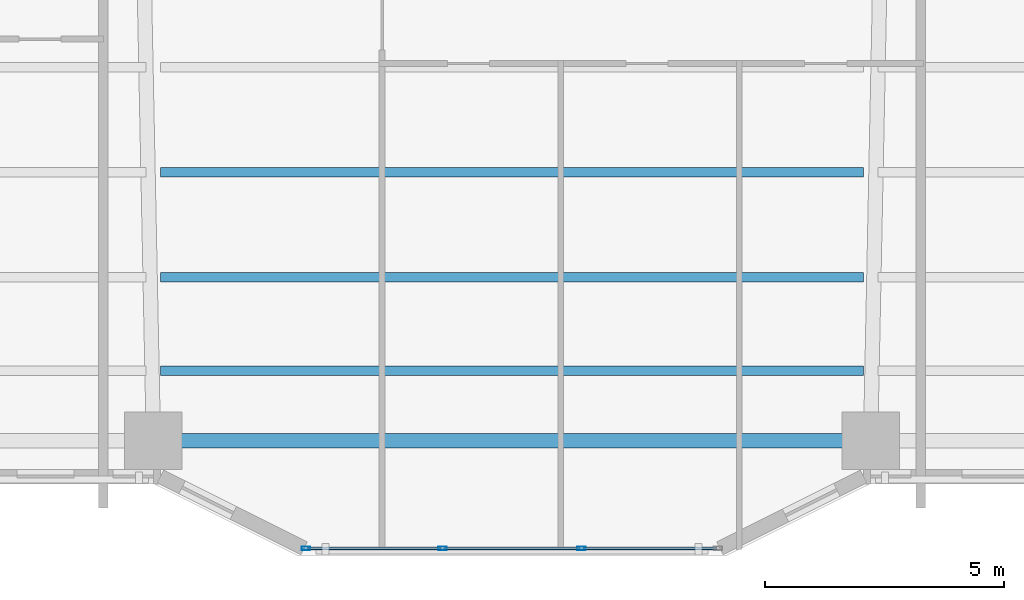
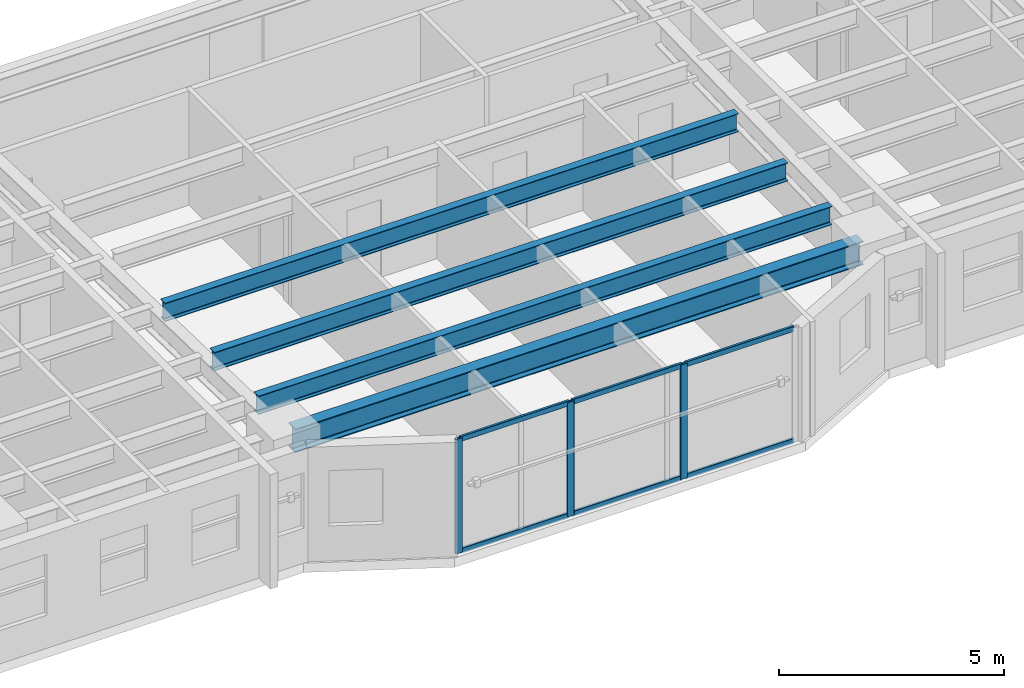
# One storey, part 2 of 21: 9 members, 4 beams, 1 element without a shape of its own.
"""IFC4 building model written with IfcOpenShell, lengths in metres."""

from ifc_helpers import new_model, si_unit, direction, frame, origin, origin_2d, place, context, subcontext, project, spatial, hollow_rectangle, i_section, extrude, material, layer, layer_set, material_profile, profile_set, type_object, element, aggregate, save


model = new_model("IFC4")

# Units and contexts
model_context = context("Model", 3, precision=1e-05, world=origin(), true_north=direction((0.0, 1.0)))
body_context = subcontext(model_context, "Body", "Model", "MODEL_VIEW")
ifc_project = project(units=[si_unit("LENGTHUNIT", "METRE"), si_unit("AREAUNIT", "SQUARE_METRE"), si_unit("VOLUMEUNIT", "CUBIC_METRE"), si_unit("PLANEANGLEUNIT", "RADIAN"), si_unit("MASSUNIT", "GRAM", prefix="KILO")], contexts=[model_context])

# Site, building, storey
site_placement = place(None, origin())
site = spatial("IfcSite", under=ifc_project, at=site_placement, CompositionType="ELEMENT")
building_placement = place(site_placement, origin())
building = spatial("IfcBuilding", under=site, at=building_placement, Name="Tarnavaz Court Tower", CompositionType="ELEMENT")
storey_placement = place(building_placement, frame((0.0, 0.0, 40.75)))
storey = spatial("IfcBuildingStorey", under=building, at=storey_placement, Name="L10", CompositionType="ELEMENT", Elevation=40.75)

# Beams
ifc_material_1 = material(Name="Steel S355", Category="steel")
ifc_material_profile_1 = material_profile(ifc_material_1, i_section(OverallWidth=0.199951171875, OverallDepth=0.5, WebThickness=0.01025390625, FlangeThickness=0.01611328125, FilletRadius=0.02099609375, at=origin_2d()), Name="IPE 500")
ifc_profile_set_1 = profile_set([ifc_material_profile_1], Name="Steel S355")
beam_type_1 = type_object("IfcBeamType", Name="BM-J-IPE500", PredefinedType="JOIST", material=ifc_profile_set_1)
for number, where, z_axis, x_axis, name in (
    (1, (-7.35009765625, -17.18798828125, 2.85009765625), (1.0, 0.0, 0.0), (0.0, 1.0, 0.0), "L10 Beam JS3-2"),
    (2, (-7.35009765625, -19.384033203125, 2.85009765625), (1.0, 0.0, 0.0), (0.0, 1.0, 0.0), "L10 Beam JS4-2"),
    (3, (-7.35009765625, -21.3359375, 2.85009765625), (1.0, 0.0, 0.0), (0.0, 1.0, 0.0), "L10 Beam JS5-2"),
):
    element("IfcBeam", number, at=place(storey_placement, frame(where, z_axis=z_axis, x_axis=x_axis)), inside=storey, type_object=beam_type_1, Name=name, PredefinedType="JOIST", context=body_context, shape_type="SweptSolid", body=[
        extrude(i_section(OverallWidth=0.199951171875, OverallDepth=0.5, WebThickness=0.01025390625, FlangeThickness=0.01611328125, FilletRadius=0.02099609375, at=origin_2d()), origin(), (0.0, 0.0, 1.0), 14.7001953125),
    ])
ifc_material_profile_2 = material_profile(ifc_material_1, i_section(OverallWidth=0.300048828125, OverallDepth=0.639892578125, WebThickness=0.013427734375, FlangeThickness=0.02587890625, FilletRadius=0.027099609375, at=origin_2d()), Name="HEA 650")
ifc_profile_set_2 = profile_set([ifc_material_profile_2], Name="Steel S355")
beam_type_2 = type_object("IfcBeamType", Name="BM-SP-HEA650", PredefinedType="SPANDREL", material=ifc_profile_set_2)
beam_placement = place(storey_placement, frame((-7.280029296875, -22.800048828125, 2.780029296875), z_axis=(1.0, 0.0, 0.0), x_axis=(0.0, 1.0, 0.0)))
element("IfcBeam", 4, at=beam_placement, inside=storey, type_object=beam_type_2, Name="L10 Beam PR-PS-2-PS-3", PredefinedType="SPANDREL", context=body_context, shape_type="SweptSolid", body=[
    extrude(i_section(OverallWidth=0.300048828125, OverallDepth=0.639892578125, WebThickness=0.013427734375, FlangeThickness=0.02587890625, FilletRadius=0.027099609375, at=origin_2d()), origin(), (0.0, 0.0, 1.0), 14.56005859375),
])

# Curtain wall, members
ifc_material_2 = material(Name="Anodised Aluminium 6063-T6 and Solar Low-E Glazing", Category="aluminium")
ifc_layer = layer(ifc_material_2, 0.179931640625)
ifc_layer_set = layer_set([ifc_layer], Name="Anodised Aluminium 6063-T6 and Solar Low-E Glazing")
curtain_wall_type = type_object("IfcCurtainWallType", Name="CW-SYS-02", PredefinedType="NOTDEFINED", material=ifc_layer_set)
curtain_wall_placement = place(storey_placement, origin())
curtain_wall = element("IfcCurtainWall", 5, at=curtain_wall_placement, inside=storey, type_object=curtain_wall_type, Name="L10 Iwan Prow Curtain Wall 17", PredefinedType="NOTDEFINED")
ifc_material_3 = material(Name="Anodised Aluminium 6063-T6", Category="aluminium")
ifc_material_profile_3 = material_profile(ifc_material_3, hollow_rectangle(XDim=0.074951171875, YDim=0.179931640625, WallThickness=0.0048828125, InnerFilletRadius=0.0048828125, OuterFilletRadius=0.010009765625, at=origin_2d()), Name="ALU RHS 180X75X5")
ifc_profile_set_3 = profile_set([ifc_material_profile_3], Name="Anodised Aluminium 6063-T6")
member_type_1 = type_object("IfcMemberType", Name="CW-MUL-180", PredefinedType="MULLION", material=ifc_profile_set_3)
member_1_placement = place(storey_placement, frame((1.449951171875, -25.050048828125, 0.0), z_axis=(0.0, 0.0, 1.0), x_axis=(0.0, -1.0, 0.0)))
member_1 = element("IfcMember", 6, at=member_1_placement, type_object=member_type_1, Name="CW mullion 2", PredefinedType="MULLION", context=body_context, shape_type="SweptSolid", body=[
    extrude(hollow_rectangle(XDim=0.074951171875, YDim=0.179931640625, WallThickness=0.0048828125, InnerFilletRadius=0.0048828125, OuterFilletRadius=0.010009765625, at=origin_2d()), origin(), (0.0, 0.0, 1.0), 3.10009765625),
])
member_2_placement = place(storey_placement, frame((-1.449951171875, -25.050048828125, 0.0), z_axis=(0.0, 0.0, 1.0), x_axis=(0.0, -1.0, 0.0)))
member_2 = element("IfcMember", 7, at=member_2_placement, type_object=member_type_1, Name="CW mullion 3", PredefinedType="MULLION", context=body_context, shape_type="SweptSolid", body=[
    extrude(hollow_rectangle(XDim=0.074951171875, YDim=0.179931640625, WallThickness=0.0048828125, InnerFilletRadius=0.0048828125, OuterFilletRadius=0.010009765625, at=origin_2d()), origin(), (0.0, 0.0, 1.0), 3.10009765625),
])
member_3_placement = place(storey_placement, frame((-4.3125, -25.050048828125, 0.0), z_axis=(0.0, 0.0, 1.0), x_axis=(0.0, -1.0, 0.0)))
member_3 = element("IfcMember", 8, at=member_3_placement, type_object=member_type_1, Name="CW mullion 4", PredefinedType="MULLION", context=body_context, shape_type="SweptSolid", body=[
    extrude(hollow_rectangle(XDim=0.074951171875, YDim=0.179931640625, WallThickness=0.0048828125, InnerFilletRadius=0.0048828125, OuterFilletRadius=0.010009765625, at=origin_2d()), origin(), (0.0, 0.0, 1.0), 3.10009765625),
])
ifc_material_profile_4 = material_profile(ifc_material_3, hollow_rectangle(XDim=0.06494140625, YDim=0.139892578125, WallThickness=0.00390625, InnerFilletRadius=0.00390625, OuterFilletRadius=0.008056640625, at=origin_2d()), Name="ALU RHS 140X65X4")
ifc_profile_set_4 = profile_set([ifc_material_profile_4], Name="Anodised Aluminium 6063-T6")
member_type_2 = type_object("IfcMemberType", Name="CW-TRN-140", PredefinedType="USERDEFINED", material=ifc_profile_set_4)
member_4_placement = place(storey_placement, frame((4.27490234375, -25.050048828125, 0.032470703125), z_axis=(-1.0, 0.0, 0.0), x_axis=(0.0, -1.0, 0.0)))
member_4 = element("IfcMember", 9, at=member_4_placement, type_object=member_type_2, Name="CW transom 1.1", ObjectType="TRANSOM", PredefinedType="USERDEFINED", context=body_context, shape_type="SweptSolid", body=[
    extrude(hollow_rectangle(XDim=0.06494140625, YDim=0.139892578125, WallThickness=0.00390625, InnerFilletRadius=0.00390625, OuterFilletRadius=0.008056640625, at=origin_2d()), origin(), (0.0, 0.0, 1.0), 2.787353515625),
])
member_5_placement = place(storey_placement, frame((4.27490234375, -25.050048828125, 3.0673828125), z_axis=(-1.0, 0.0, 0.0), x_axis=(0.0, -1.0, 0.0)))
member_5 = element("IfcMember", 10, at=member_5_placement, type_object=member_type_2, Name="CW transom 1.2", ObjectType="TRANSOM", PredefinedType="USERDEFINED", context=body_context, shape_type="SweptSolid", body=[
    extrude(hollow_rectangle(XDim=0.06494140625, YDim=0.139892578125, WallThickness=0.00390625, InnerFilletRadius=0.00390625, OuterFilletRadius=0.008056640625, at=origin_2d()), origin(), (0.0, 0.0, 1.0), 2.787353515625),
])
member_6_placement = place(storey_placement, frame((1.41259765625, -25.050048828125, 0.032470703125), z_axis=(-1.0, 0.0, 0.0), x_axis=(0.0, -1.0, 0.0)))
member_6 = element("IfcMember", 11, at=member_6_placement, type_object=member_type_2, Name="CW transom 2.1", ObjectType="TRANSOM", PredefinedType="USERDEFINED", context=body_context, shape_type="SweptSolid", body=[
    extrude(hollow_rectangle(XDim=0.06494140625, YDim=0.139892578125, WallThickness=0.00390625, InnerFilletRadius=0.00390625, OuterFilletRadius=0.008056640625, at=origin_2d()), origin(), (0.0, 0.0, 1.0), 2.8251953125),
])
member_7_placement = place(storey_placement, frame((1.41259765625, -25.050048828125, 3.0673828125), z_axis=(-1.0, 0.0, 0.0), x_axis=(0.0, -1.0, 0.0)))
member_7 = element("IfcMember", 12, at=member_7_placement, type_object=member_type_2, Name="CW transom 2.2", ObjectType="TRANSOM", PredefinedType="USERDEFINED", context=body_context, shape_type="SweptSolid", body=[
    extrude(hollow_rectangle(XDim=0.06494140625, YDim=0.139892578125, WallThickness=0.00390625, InnerFilletRadius=0.00390625, OuterFilletRadius=0.008056640625, at=origin_2d()), origin(), (0.0, 0.0, 1.0), 2.8251953125),
])
member_8_placement = place(storey_placement, frame((-1.487548828125, -25.050048828125, 0.032470703125), z_axis=(-1.0, 0.0, 0.0), x_axis=(0.0, -1.0, 0.0)))
member_8 = element("IfcMember", 13, at=member_8_placement, type_object=member_type_2, Name="CW transom 3.1", ObjectType="TRANSOM", PredefinedType="USERDEFINED", context=body_context, shape_type="SweptSolid", body=[
    extrude(hollow_rectangle(XDim=0.06494140625, YDim=0.139892578125, WallThickness=0.00390625, InnerFilletRadius=0.00390625, OuterFilletRadius=0.008056640625, at=origin_2d()), origin(), (0.0, 0.0, 1.0), 2.787353515625),
])
member_9_placement = place(storey_placement, frame((-1.487548828125, -25.050048828125, 3.0673828125), z_axis=(-1.0, 0.0, 0.0), x_axis=(0.0, -1.0, 0.0)))
member_9 = element("IfcMember", 14, at=member_9_placement, type_object=member_type_2, Name="CW transom 3.2", ObjectType="TRANSOM", PredefinedType="USERDEFINED", context=body_context, shape_type="SweptSolid", body=[
    extrude(hollow_rectangle(XDim=0.06494140625, YDim=0.139892578125, WallThickness=0.00390625, InnerFilletRadius=0.00390625, OuterFilletRadius=0.008056640625, at=origin_2d()), origin(), (0.0, 0.0, 1.0), 2.787353515625),
])
aggregate(curtain_wall, [member_1, member_2, member_3, member_4, member_5, member_6, member_7, member_8, member_9])

save(model, "model.ifc")
